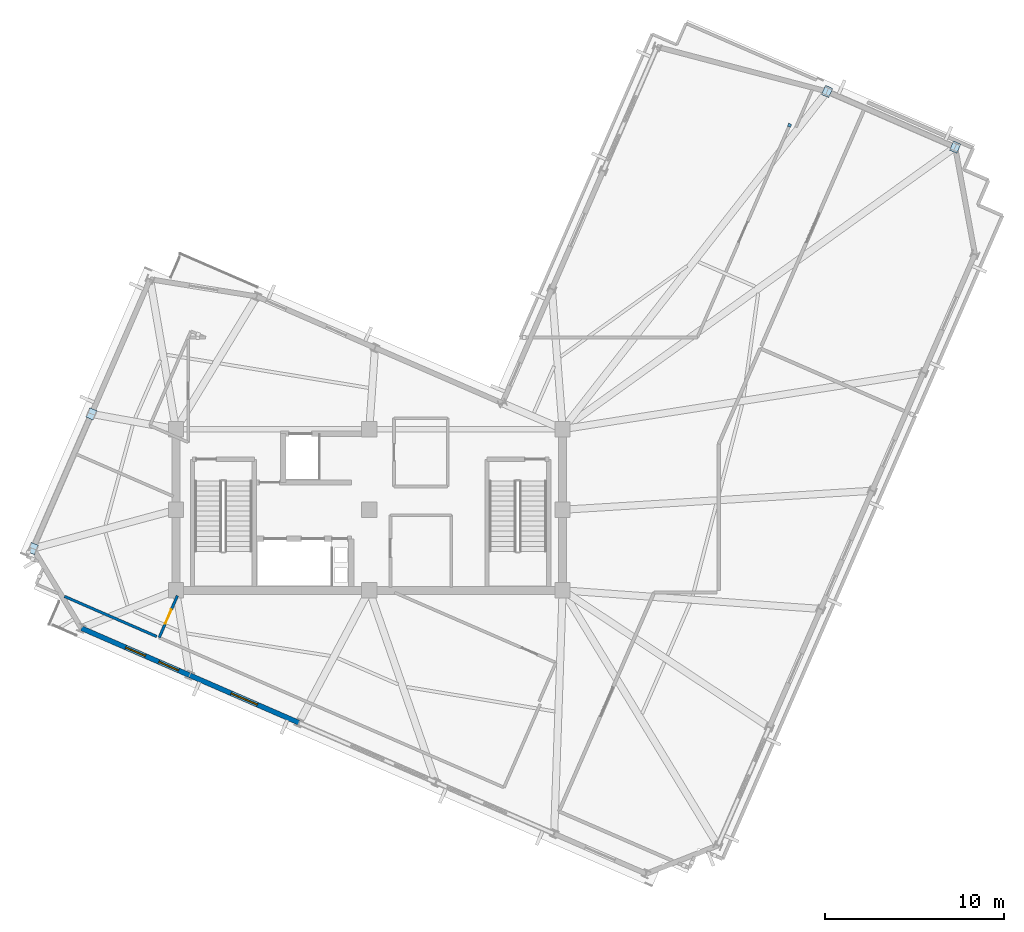
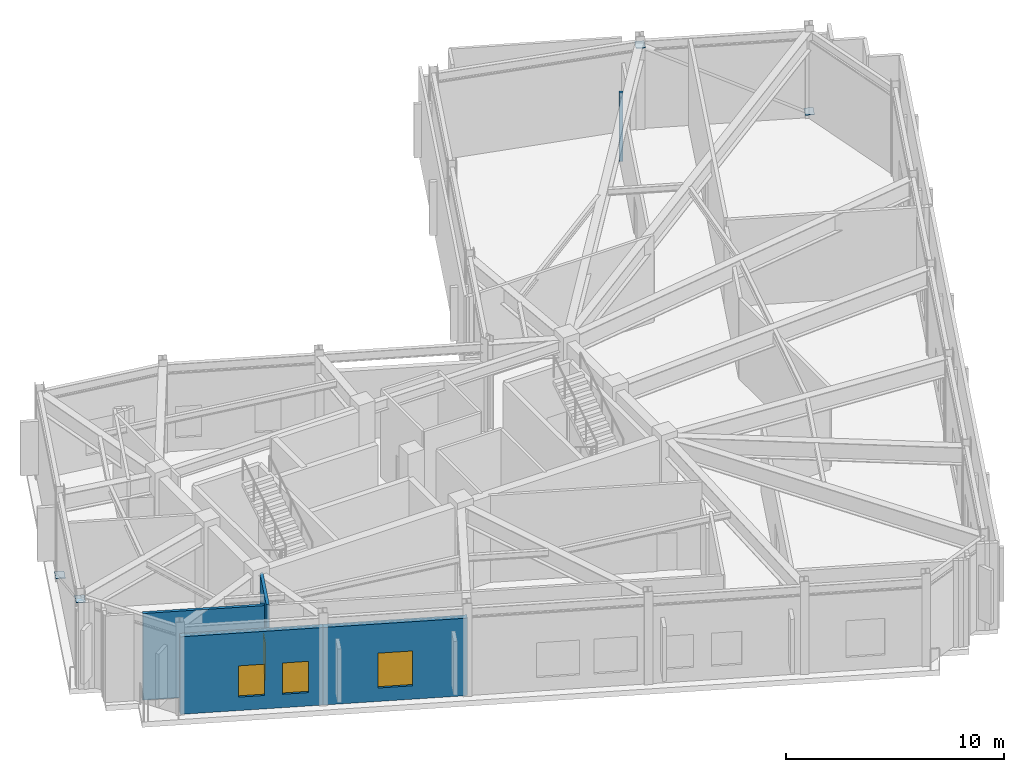
# One storey, part 5 of 12: 5 plates, 4 walls, 3 windows, 1 door, 4 openings.
"""IFC4 building model written with IfcOpenShell, lengths in metres."""

from ifc_helpers import new_model, si_unit, direction, frame, frame_2d, origin, origin_2d, place, context, subcontext, project, spatial, rectangle, extrude, material, layer, layer_set, type_object, element, fill, save


model = new_model("IFC4")

# Units and contexts
model_context = context("Model", 3, precision=1e-05, world=origin(), true_north=direction((0.0, 1.0)))
body_context = subcontext(model_context, "Body", "Model", "MODEL_VIEW")
ifc_project = project(units=[si_unit("LENGTHUNIT", "METRE"), si_unit("AREAUNIT", "SQUARE_METRE"), si_unit("VOLUMEUNIT", "CUBIC_METRE"), si_unit("PLANEANGLEUNIT", "RADIAN"), si_unit("MASSUNIT", "GRAM", prefix="KILO")], contexts=[model_context])

# Site, building, storey
site_placement = place(None, origin())
site = spatial("IfcSite", under=ifc_project, at=site_placement, CompositionType="ELEMENT")
building_placement = place(site_placement, origin())
building = spatial("IfcBuilding", under=site, at=building_placement, Name="Gaonmaruhae Medical Tower", CompositionType="ELEMENT")
storey_placement = place(building_placement, frame((0.0, 0.0, 342.60009765625)))
storey = spatial("IfcBuildingStorey", under=building, at=storey_placement, Name="L82", CompositionType="ELEMENT", Elevation=342.60009765625)

# Plates
ifc_material_1 = material(Name="Steel HSA650 (650 MPa)", Category="steel")
ifc_layer_1 = layer(ifc_material_1, 0.028076171875)
ifc_layer_set_1 = layer_set([ifc_layer_1], Name="Steel HSA650 (650 MPa)")
plate_type_1 = type_object("IfcPlateType", Name="GP-02 Tube Brace End Cap Gusset Plate", PredefinedType="USERDEFINED", material=ifc_layer_set_1)
for number, where, z_axis, x_axis, name in (
    (1, (57.525634765625, 32.552734375, 0.23583984375), (0.0, 0.0, 1.0), (0.398749068925, 0.917060074385, 0.0), "L82 Gusset Cap Plate PLT-L82-PBR-E01A"),
    (2, (50.372802734375, 35.662841796875, 4.5859375), (0.0, 0.0, 1.0), (0.398749068925, 0.917060074385, 0.0), "L82 Gusset Cap Plate PLT-L82-PBR-E01B"),
    (3, (9.283447265625, 17.653564453125, 0.23583984375), (0.0, 0.0, 1.0), (0.398749068925, 0.917060074385, 0.0), "L82 Gusset Cap Plate PLT-L82-PBR-N02A"),
    (4, (6.013671875, 10.133544921875, 4.5859375), (0.0, 0.0, 1.0), (0.398749068925, 0.917060074385, 0.0), "L82 Gusset Cap Plate PLT-L82-PBR-N02B"),
):
    element("IfcPlate", number, at=place(storey_placement, frame(where, z_axis=z_axis, x_axis=x_axis)), inside=storey, type_object=plate_type_1, Name=name, ObjectType="GUSSET_PLATE", PredefinedType="USERDEFINED", context=body_context, shape_type="SweptSolid", body=[
        extrude(rectangle(XDim=0.56005859375, YDim=0.43994140625, at=origin_2d()), origin(), (0.0, 0.0, 1.0), 0.028076171875),
    ])
ifc_material_2 = material(Name="Anodised aluminium 6063-T6", Category="aluminium")
ifc_layer_2 = layer(ifc_material_2, 0.011962890625)
ifc_layer_set_2 = layer_set([ifc_layer_2], Name="Anodised aluminium 6063-T6")
plate_type_2 = type_object("IfcPlateType", Name="PP-01 Interior Partition Corner Stiffener Plate", PredefinedType="SHEET", material=ifc_layer_set_2)
plate_placement = place(storey_placement, frame((48.27490234375, 33.7724609375, 0.0), z_axis=(0.0, 0.0, 1.0), x_axis=(-0.398765074582, -0.917053114761, 0.0)))
element("IfcPlate", 5, at=plate_placement, inside=storey, type_object=plate_type_2, Name="L82 Partition End Jamb Post Plate PLT-L82-ENDP-PW026-0", PredefinedType="SHEET", context=body_context, shape_type="SweptSolid", body=[
    extrude(rectangle(XDim=0.179931640625, YDim=0.179931640625, at=origin_2d()), origin(), (0.0, 0.0, 1.0), 3.8349609375),
])

# Wall, openings, windows
ifc_material_3 = material(Name="Precast concrete C45/55", Category="concrete")
ifc_layer_3 = layer(ifc_material_3, 0.280029296875)
ifc_layer_set_3 = layer_set([ifc_layer_3], Name="Precast concrete C45/55")
wall_type_1 = type_object("IfcWallType", Name="EW-280 Upper Precast Masonry-Frame Facade Wall", PredefinedType="SOLIDWALL", material=ifc_layer_set_3)
wall_1_placement = place(storey_placement, frame((14.767578125, 3.055908203125, 0.0), z_axis=(0.0, 0.0, 1.0), x_axis=(-0.917052412425, 0.398766689764, 0.0)))
wall_1 = element("IfcWall", 6, at=wall_1_placement, inside=storey, type_object=wall_type_1, Name="L82 Precast Masonry-Frame Wall W01-W02", PredefinedType="SOLIDWALL", context=body_context, shape_type="SweptSolid", body=[
    extrude(rectangle(XDim=6.599853515625, YDim=0.280029296875, at=frame_2d((3.2998046875, 0.0))), origin(), (0.0, 0.0, 1.0), 4.3349609375),
])
opening_1_placement = place(wall_1_placement, frame((2.699951171875, 0.0, 0.75)))
opening_1 = element("IfcOpeningElement", 7, at=opening_1_placement, cuts=wall_1, Name="Opening WN-05", PredefinedType="OPENING", context=body_context, shape_type="SweptSolid", body=[
    extrude(rectangle(XDim=1.199951171875, YDim=1.75, at=frame_2d((0.60009765625, 0.875))), frame((0.0, 0.14990234375, 0.0), z_axis=(0.0, -1.0, 0.0), x_axis=(1.0, 0.0, 0.0)), (0.0, 0.0, 1.0), 0.300048828125),
])
opening_2_placement = place(wall_1_placement, frame((0.677734375, 0.0, 0.75)))
opening_2 = element("IfcOpeningElement", 8, at=opening_2_placement, cuts=wall_1, Name="Opening WN-05", PredefinedType="OPENING", context=body_context, shape_type="SweptSolid", body=[
    extrude(rectangle(XDim=1.199951171875, YDim=1.75, at=frame_2d((0.60009765625, 0.875))), frame((0.0, 0.14990234375, 0.0), z_axis=(0.0, -1.0, 0.0), x_axis=(1.0, 0.0, 0.0)), (0.0, 0.0, 1.0), 0.300048828125),
])
ifc_material_4 = material(Name="Anodised aluminium and Low-E double glazing", Category="aluminium")
window_type_1 = type_object("IfcWindowType", Name="WN-05 Support & Staff Punched Window 1200x1750", PartitioningType="SINGLE_PANEL", PredefinedType="WINDOW", material=ifc_material_4)
window_1_placement = place(opening_1_placement, origin())
window_1 = element("IfcWindow", 9, at=window_1_placement, inside=storey, type_object=window_type_1, Name="L82 Modular Facade Window W01", OverallHeight=1.75, OverallWidth=1.199951171875, PartitioningType="SINGLE_PANEL", PredefinedType="WINDOW", context=body_context, shape_type="SweptSolid", body=[
    extrude(rectangle(XDim=1.199951171875, YDim=1.75, at=frame_2d((0.60009765625, 0.875))), frame((0.0, 0.030029296875, 0.0), z_axis=(0.0, -1.0, 0.0), x_axis=(1.0, 0.0, 0.0)), (0.0, 0.0, 1.0), 0.06005859375),
])
fill(opening_1, window_1)
window_2_placement = place(opening_2_placement, origin())
window_2 = element("IfcWindow", 10, at=window_2_placement, inside=storey, type_object=window_type_1, Name="L82 Modular Facade Window W01B", OverallHeight=1.75, OverallWidth=1.199951171875, PartitioningType="SINGLE_PANEL", PredefinedType="WINDOW", context=body_context, shape_type="SweptSolid", body=[
    extrude(rectangle(XDim=1.199951171875, YDim=1.75, at=frame_2d((0.60009765625, 0.875))), frame((0.0, 0.030029296875, 0.0), z_axis=(0.0, -1.0, 0.0), x_axis=(1.0, 0.0, 0.0)), (0.0, 0.0, 1.0), 0.06005859375),
])
fill(opening_2, window_2)

# Wall, opening, window
wall_2_placement = place(storey_placement, frame((20.8662109375, 0.404296875, 0.0), z_axis=(0.0, 0.0, 1.0), x_axis=(-0.91706830527, 0.398730138652, 0.0)))
wall_2 = element("IfcWall", 11, at=wall_2_placement, inside=storey, type_object=wall_type_1, Name="L82 Precast Masonry-Frame Wall W02-W03", PredefinedType="SOLIDWALL", context=body_context, shape_type="SweptSolid", body=[
    extrude(rectangle(XDim=6.650146484375, YDim=0.280029296875, at=frame_2d((3.3251953125, 0.0))), origin(), (0.0, 0.0, 1.0), 4.3349609375),
])
opening_3_placement = place(wall_2_placement, frame((2.52490234375, 0.0, 0.75)))
opening_3 = element("IfcOpeningElement", 12, at=opening_3_placement, cuts=wall_2, Name="Opening WN-01", PredefinedType="OPENING", context=body_context, shape_type="SweptSolid", body=[
    extrude(rectangle(XDim=1.60009765625, YDim=1.949951171875, at=frame_2d((0.800048828125, 0.97509765625))), frame((0.0, 0.14990234375, 0.0), z_axis=(0.0, -1.0, 0.0), x_axis=(1.0, 0.0, 0.0)), (0.0, 0.0, 1.0), 0.300048828125),
])
window_type_2 = type_object("IfcWindowType", Name="WN-01 Ward Punched Acoustic Window 1600x1950", PartitioningType="SINGLE_PANEL", PredefinedType="WINDOW", material=ifc_material_4)
window_3_placement = place(opening_3_placement, origin())
window_3 = element("IfcWindow", 13, at=window_3_placement, inside=storey, type_object=window_type_2, Name="L82 Modular Facade Window W02", OverallHeight=1.949951171875, OverallWidth=1.60009765625, PartitioningType="SINGLE_PANEL", PredefinedType="WINDOW", context=body_context, shape_type="SweptSolid", body=[
    extrude(rectangle(XDim=1.60009765625, YDim=1.949951171875, at=frame_2d((0.800048828125, 0.97509765625))), frame((0.0, 0.030029296875, 0.0), z_axis=(0.0, -1.0, 0.0), x_axis=(1.0, 0.0, 0.0)), (0.0, 0.0, 1.0), 0.06005859375),
])
fill(opening_3, window_3)

# Wall, opening, door
ifc_material_5 = material(Name="Gypsum board partition", Category="gypsum")
ifc_layer_4 = layer(ifc_material_5, 0.14990234375)
ifc_layer_set_4 = layer_set([ifc_layer_4], Name="Gypsum board partition")
wall_type_2 = type_object("IfcWallType", Name="PW-150 Rated Clinical Corridor Partition", PredefinedType="PARTITIONING", material=ifc_layer_set_4)
wall_3_placement = place(storey_placement, frame((13.06494140625, 5.158935546875, 0.0), z_axis=(0.0, 0.0, 1.0), x_axis=(0.398796049667, 0.917039645146, 0.0)))
wall_3 = element("IfcWall", 14, at=wall_3_placement, inside=storey, type_object=wall_type_2, Name="L82 Interior Partition L82-EQP-37", PredefinedType="PARTITIONING", context=body_context, shape_type="SweptSolid", body=[
    extrude(rectangle(XDim=2.552734375, YDim=0.14990234375, at=frame_2d((1.2763671875, 0.0))), origin(), (0.0, 0.0, 1.0), 4.849853515625),
])
opening_4_placement = place(wall_3_placement, frame((0.846435546875, 0.0, 0.0)))
opening_4 = element("IfcOpeningElement", 15, at=opening_4_placement, cuts=wall_3, Name="Opening AD-01", PredefinedType="OPENING", context=body_context, shape_type="SweptSolid", body=[
    extrude(rectangle(XDim=0.860107421875, YDim=2.06005859375, at=frame_2d((0.43017578125, 1.030029296875))), frame((0.0, 0.0849609375, 0.0), z_axis=(0.0, -1.0, 0.0), x_axis=(1.0, 0.0, 0.0)), (0.0, 0.0, 1.0), 0.169921875),
])
ifc_material_6 = material(Name="Powder-coated steel access door", Category="steel")
door_type = type_object("IfcDoorType", Name="AD-01 Riser & Closet Access Fire Door 860x2060", OperationType="NOTDEFINED", PredefinedType="DOOR", material=ifc_material_6)
door_placement = place(opening_4_placement, origin())
door = element("IfcDoor", 16, at=door_placement, inside=storey, type_object=door_type, Name="L82 Transfer Level Housekeeping Utility Room Sliding Door", OperationType="SLIDING_TO_LEFT", OverallHeight=2.06005859375, OverallWidth=0.860107421875, PredefinedType="DOOR", context=body_context, shape_type="SweptSolid", body=[
    extrude(rectangle(XDim=0.860107421875, YDim=2.06005859375, at=frame_2d((0.43017578125, 1.030029296875))), frame((0.0, 0.02490234375, 0.0), z_axis=(0.0, -1.0, 0.0), x_axis=(1.0, 0.0, 0.0)), (0.0, 0.0, 1.0), 0.050048828125),
])
fill(opening_4, door)

# Wall
wall_4_placement = place(storey_placement, frame((12.927978515625, 5.218994140625, 0.0), z_axis=(0.0, 0.0, 1.0), x_axis=(-0.917056939017, 0.3987562797, 0.0)))
element("IfcWall", 17, at=wall_4_placement, inside=storey, type_object=wall_type_2, Name="L82 Interior Partition L82-HSK-41", PredefinedType="PARTITIONING", context=body_context, shape_type="SweptSolid", body=[
    extrude(rectangle(XDim=5.622314453125, YDim=0.14990234375, at=frame_2d((2.81103515625, 0.0))), origin(), (0.0, 0.0, 1.0), 4.849853515625),
])

save(model, "model.ifc")
